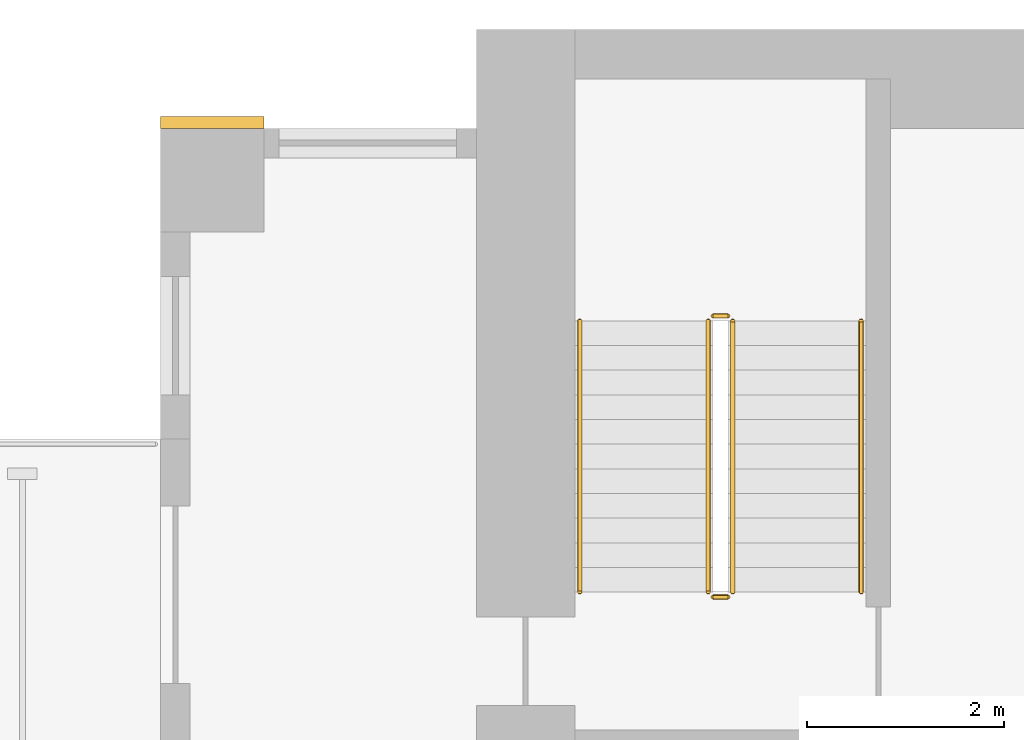
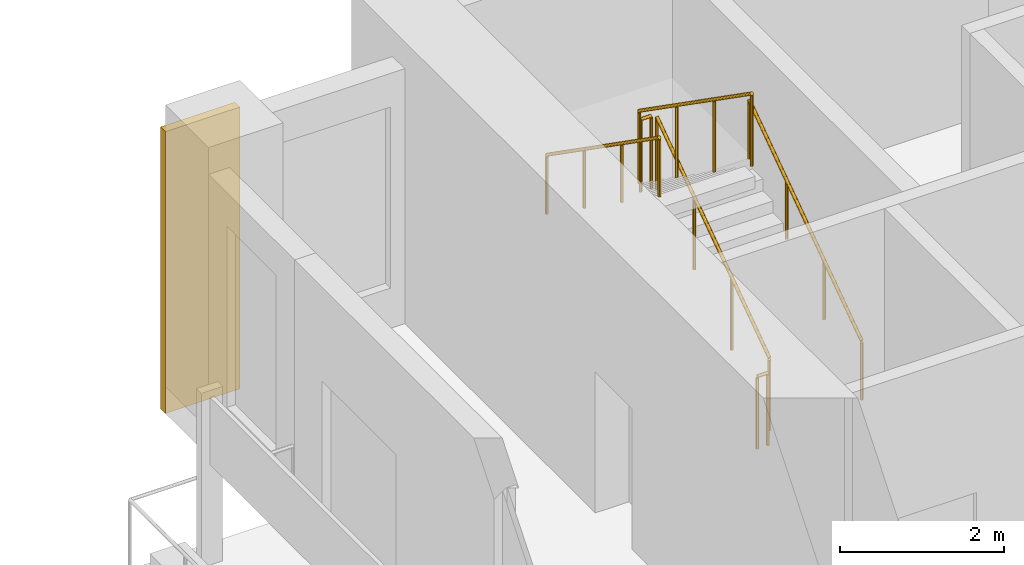
# One storey, part 11 of 14: 6 railings, 1 covering.
"""IFC4 building model written with IfcOpenShell, lengths in metres."""

from ifc_helpers import new_model, si_unit, direction, frame, origin, origin_2d, place, context, subcontext, project, spatial, rectangle, circle, extrude, source, transform, mapped, material, type_object, element, save


model = new_model("IFC4")

# Units and contexts
model_context = context("Model", 3, precision=1e-05, world=origin(), true_north=direction((0.0, 1.0)))
body_context = subcontext(model_context, "Body", "Model", "MODEL_VIEW")
ifc_project = project(units=[si_unit("LENGTHUNIT", "METRE"), si_unit("AREAUNIT", "SQUARE_METRE"), si_unit("VOLUMEUNIT", "CUBIC_METRE"), si_unit("PLANEANGLEUNIT", "RADIAN"), si_unit("MASSUNIT", "GRAM", prefix="KILO")], contexts=[model_context])

# Site, building, storey
site_placement = place(None, origin())
site = spatial("IfcSite", under=ifc_project, at=site_placement, CompositionType="ELEMENT")
building_placement = place(site_placement, origin())
building = spatial("IfcBuilding", under=site, at=building_placement, Name="Aurelian Terraces", CompositionType="ELEMENT")
storey_placement = place(building_placement, frame((0.0, 0.0, 132.9)))
storey = spatial("IfcBuildingStorey", under=building, at=storey_placement, Name="L29", CompositionType="ELEMENT", Elevation=132.9)

# Covering
ifc_material_1 = material(Name="Terracotta rainscreen cladding relief", Category="masonry")
covering_type = type_object("IfcCoveringType", Name="BAGUETTE-TC", PredefinedType="CLADDING", material=ifc_material_1)
shared_shape_1 = source(origin(), body_context, "Body", "SweptSolid", [
    extrude(rectangle(XDim=1.05, YDim=0.12, at=origin_2d()), origin(), (0.0, 0.0, 1.0), 4.2),
])
covering_placement = place(storey_placement, frame((0.525, 21.06, -0.4), z_axis=(0.0, 0.0, 1.0), x_axis=(1.0, 0.0, 0.0)))
element("IfcCovering", 1, at=covering_placement, inside=storey, type_object=covering_type, Name="BAGUETTE pier L29 6", PredefinedType="CLADDING", context=body_context, shape_type="MappedRepresentation", body=[
    mapped(shared_shape_1, transform((0.0, 0.0, 0.0), scale=1.0)),
])

# Railings
ifc_material_2 = material(Name="Stainless steel", Category="steel")
railing_type_1 = type_object("IfcRailingType", Name="Stair guard 1100", PredefinedType="GUARDRAIL", material=ifc_material_2)
shared_shape_2 = source(origin(), body_context, "Body", "SweptSolid", [
    extrude(circle(Radius=0.024, at=origin_2d()), frame((0.0, 0.0, 1.076), z_axis=(-1.0, 0.0, 0.0), x_axis=(0.0, -1.0, 0.0)), (0.0, 0.0, 1.0), 0.15),
    extrude(circle(Radius=0.021, at=origin_2d()), origin(), (0.0, 0.0, 1.0), 1.052),
    extrude(circle(Radius=0.021, at=origin_2d()), frame((-0.15, 0.0, 0.0)), (0.0, 0.0, 1.0), 1.052),
])
for number, where, name in (
    (2, (5.75, 19.1, 2.1), "L29 S1 stair guard 2"),
    (3, (5.75, 16.25, 0.0), "L29 S1 stair guard 4"),
):
    element("IfcRailing", number, at=place(storey_placement, frame(where)), inside=storey, type_object=railing_type_1, Name=name, PredefinedType="GUARDRAIL", context=body_context, shape_type="MappedRepresentation", body=[
        mapped(shared_shape_2, transform((0.0, 0.0, 0.0), scale=1.0)),
    ])
shared_shape_3 = source(origin(), body_context, "Body", "SweptSolid", [
    extrude(circle(Radius=0.024, at=origin_2d()), frame((0.0, 0.0, 1.076), z_axis=(0.0, 0.819231920519, 0.573462344363), x_axis=(-1.0, 0.0, 0.0)), (0.0, 0.0, 1.0), 3.3568),
    extrude(circle(Radius=0.021, at=origin_2d()), origin(), (0.0, 0.0, 1.0), 1.052),
    extrude(circle(Radius=0.021, at=origin_2d()), frame((0.0, 0.9167, 0.6417)), (0.0, 0.0, 1.0), 1.052),
    extrude(circle(Radius=0.021, at=origin_2d()), frame((0.0, 1.8333, 1.2833)), (0.0, 0.0, 1.0), 1.052),
    extrude(circle(Radius=0.021, at=origin_2d()), frame((0.0, 2.75, 1.925)), (0.0, 0.0, 1.0), 1.052),
])
railing_1_placement = place(storey_placement, frame((5.8, 16.3, 0.175)))
element("IfcRailing", 4, at=railing_1_placement, inside=storey, type_object=railing_type_1, Name="L29 S1 stair guard 1", PredefinedType="GUARDRAIL", context=body_context, shape_type="MappedRepresentation", body=[
    mapped(shared_shape_3, transform((0.0, 0.0, 0.0), scale=1.0)),
])
shared_shape_4 = source(origin(), body_context, "Body", "SweptSolid", [
    extrude(circle(Radius=0.024, at=origin_2d()), frame((0.0, 0.0, 1.076), z_axis=(0.0, -0.819231920519, 0.573462344363), x_axis=(1.0, 0.0, 0.0)), (0.0, 0.0, 1.0), 3.3568),
    extrude(circle(Radius=0.021, at=origin_2d()), origin(), (0.0, 0.0, 1.0), 1.052),
    extrude(circle(Radius=0.021, at=origin_2d()), frame((0.0, -0.9167, 0.6417)), (0.0, 0.0, 1.0), 1.052),
    extrude(circle(Radius=0.021, at=origin_2d()), frame((0.0, -1.8333, 1.2833)), (0.0, 0.0, 1.0), 1.052),
    extrude(circle(Radius=0.021, at=origin_2d()), frame((0.0, -2.75, 1.925)), (0.0, 0.0, 1.0), 1.052),
])
railing_2_placement = place(storey_placement, frame((5.55, 19.05, 2.275)))
element("IfcRailing", 5, at=railing_2_placement, inside=storey, type_object=railing_type_1, Name="L29 S1 stair guard 3", PredefinedType="GUARDRAIL", context=body_context, shape_type="MappedRepresentation", body=[
    mapped(shared_shape_4, transform((0.0, 0.0, 0.0), scale=1.0)),
])
railing_type_2 = type_object("IfcRailingType", Name="Stair handrail", PredefinedType="HANDRAIL", material=ifc_material_2)
shared_shape_5 = source(origin(), body_context, "Body", "SweptSolid", [
    extrude(circle(Radius=0.024, at=origin_2d()), frame((0.0, 0.0, 0.876), z_axis=(0.0, 0.819231920519, 0.573462344363), x_axis=(-1.0, 0.0, 0.0)), (0.0, 0.0, 1.0), 3.3568),
    extrude(circle(Radius=0.021, at=origin_2d()), origin(), (0.0, 0.0, 1.0), 0.852),
    extrude(circle(Radius=0.021, at=origin_2d()), frame((0.0, 0.9167, 0.6417)), (0.0, 0.0, 1.0), 0.852),
    extrude(circle(Radius=0.021, at=origin_2d()), frame((0.0, 1.8333, 1.2833)), (0.0, 0.0, 1.0), 0.852),
    extrude(circle(Radius=0.021, at=origin_2d()), frame((0.0, 2.75, 1.925)), (0.0, 0.0, 1.0), 0.852),
])
railing_3_placement = place(storey_placement, frame((7.1, 16.3, 0.175)))
element("IfcRailing", 6, at=railing_3_placement, inside=storey, type_object=railing_type_2, Name="L29 S1 stair handrail 1", PredefinedType="HANDRAIL", context=body_context, shape_type="MappedRepresentation", body=[
    mapped(shared_shape_5, transform((0.0, 0.0, 0.0), scale=1.0)),
])
shared_shape_6 = source(origin(), body_context, "Body", "SweptSolid", [
    extrude(circle(Radius=0.024, at=origin_2d()), frame((0.0, 0.0, 0.876), z_axis=(0.0, -0.819231920519, 0.573462344363), x_axis=(1.0, 0.0, 0.0)), (0.0, 0.0, 1.0), 3.3568),
    extrude(circle(Radius=0.021, at=origin_2d()), origin(), (0.0, 0.0, 1.0), 0.852),
    extrude(circle(Radius=0.021, at=origin_2d()), frame((0.0, -0.9167, 0.6417)), (0.0, 0.0, 1.0), 0.852),
    extrude(circle(Radius=0.021, at=origin_2d()), frame((0.0, -1.8333, 1.2833)), (0.0, 0.0, 1.0), 0.852),
    extrude(circle(Radius=0.021, at=origin_2d()), frame((0.0, -2.75, 1.925)), (0.0, 0.0, 1.0), 0.852),
])
railing_4_placement = place(storey_placement, frame((4.25, 19.05, 2.275)))
element("IfcRailing", 7, at=railing_4_placement, inside=storey, type_object=railing_type_2, Name="L29 S1 stair handrail 2", PredefinedType="HANDRAIL", context=body_context, shape_type="MappedRepresentation", body=[
    mapped(shared_shape_6, transform((0.0, 0.0, 0.0), scale=1.0)),
])

save(model, "model.ifc")
